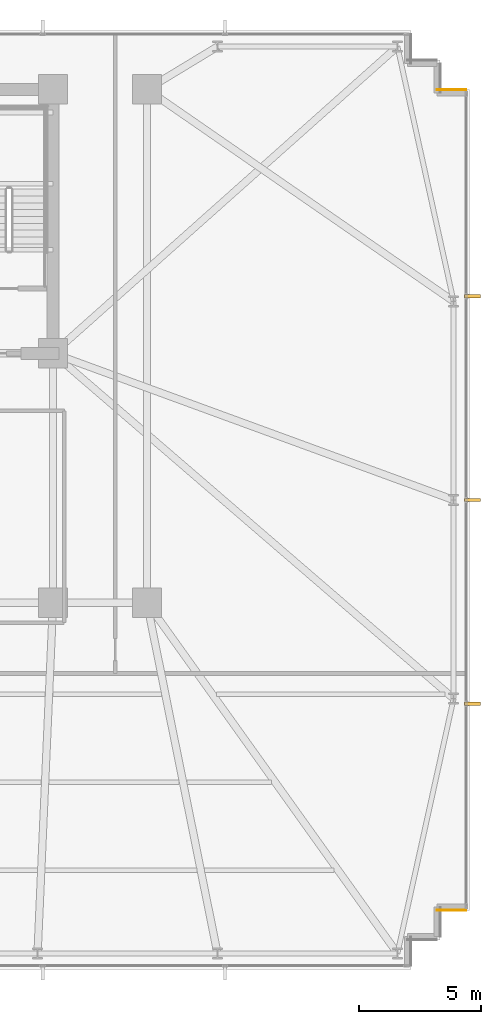
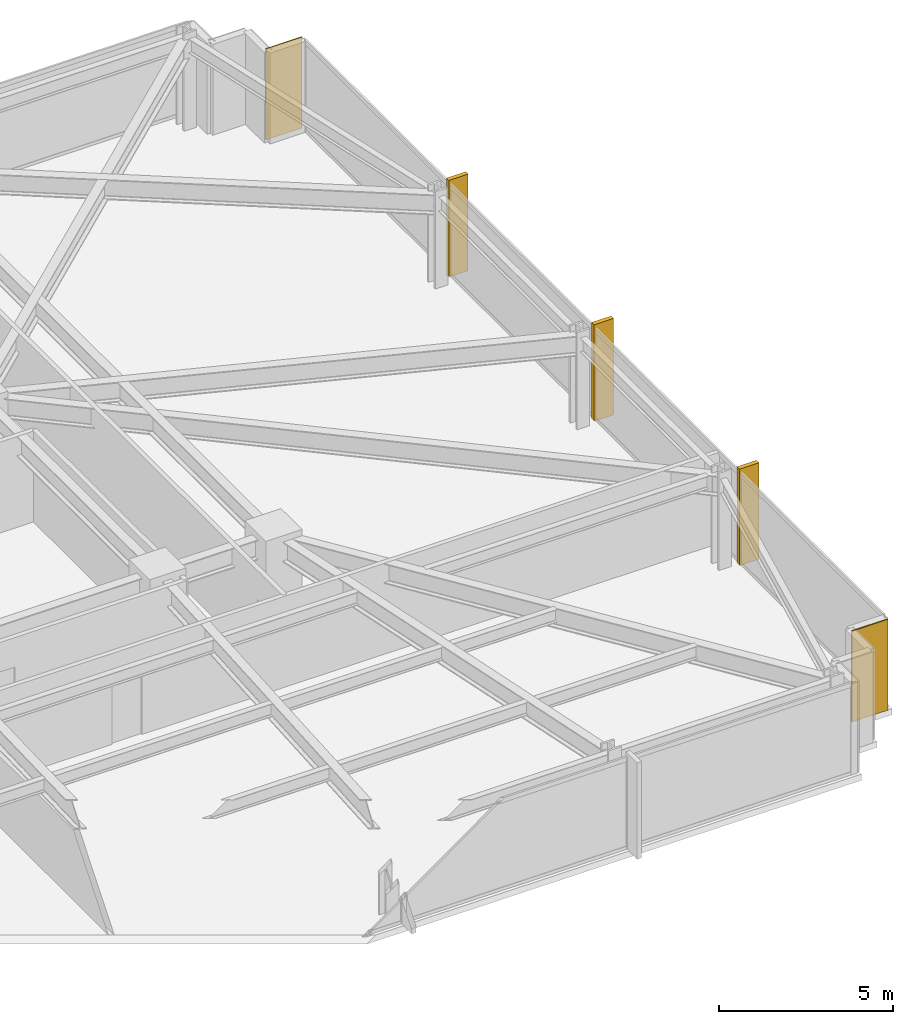
# One storey, part 32 of 32: 3 shading devices, 2 coverings.
"""IFC4 building model written with IfcOpenShell, lengths in metres."""

from ifc_helpers import new_model, si_unit, direction, frame, frame_2d, origin, origin_2d, place, context, subcontext, project, spatial, rectangle, extrude, material, layer, layer_set, type_object, element, save


model = new_model("IFC4")

# Units and contexts
model_context = context("Model", 3, precision=1e-05, world=origin(), true_north=direction((0.0, 1.0)))
body_context = subcontext(model_context, "Body", "Model", "MODEL_VIEW")
ifc_project = project(units=[si_unit("LENGTHUNIT", "METRE"), si_unit("AREAUNIT", "SQUARE_METRE"), si_unit("VOLUMEUNIT", "CUBIC_METRE"), si_unit("PLANEANGLEUNIT", "RADIAN"), si_unit("MASSUNIT", "GRAM", prefix="KILO")], contexts=[model_context])

# Site, building, storey
site_placement = place(None, origin())
site = spatial("IfcSite", under=ifc_project, at=site_placement, CompositionType="ELEMENT")
building_placement = place(site_placement, origin())
building = spatial("IfcBuilding", under=site, at=building_placement, Name="Yelkora Congress Tower", CompositionType="ELEMENT")
storey_placement = place(building_placement, frame((0.0, 0.0, 50.800048828125)))
storey = spatial("IfcBuildingStorey", under=building, at=storey_placement, Name="L12", CompositionType="ELEMENT", Elevation=50.800048828125)

# Coverings
ifc_material_1 = material(Name="Anatolian bush-hammered limestone", Category="masonry")
ifc_layer_1 = layer(ifc_material_1, 0.0400390625)
ifc_layer_set_1 = layer_set([ifc_layer_1], Name="Anatolian bush-hammered limestone")
covering_type = type_object("IfcCoveringType", Name="COV-CLAD-SPANDREL-40", PredefinedType="CLADDING", material=ifc_layer_set_1)
for number, where, z_axis, x_axis, name in (
    (1, (69.4599609375, 46.195068359375, 0.0), (0.0, 0.0, 1.0), (1.0, 0.0, 0.0), "L12 Anatolian Limestone Cladding EW-L12-SR14"),
    (2, (70.659912109375, 12.60498046875, 0.0), (0.0, 0.0, 1.0), (-1.0, 0.0, 0.0), "L12 Anatolian Limestone Cladding EW-L12-SR16"),
):
    element("IfcCovering", number, at=place(storey_placement, frame(where, z_axis=z_axis, x_axis=x_axis)), inside=storey, type_object=covering_type, Name=name, PredefinedType="CLADDING", context=body_context, shape_type="SweptSolid", body=[
        extrude(rectangle(XDim=1.199951171875, YDim=0.0400390625, at=frame_2d((0.60009765625, 0.0))), origin(), (0.0, 0.0, 1.0), 3.179931640625),
    ])

# Shading devices
ifc_material_2 = material(Name="Champagne anodised aluminium", Category="aluminium")
ifc_layer_2 = layer(ifc_material_2, 3.39990234375)
ifc_layer_set_2 = layer_set([ifc_layer_2], Name="Champagne anodised aluminium")
shading_device_type = type_object("IfcShadingDeviceType", Name="SHD-FIN-ALU-640", PredefinedType="USERDEFINED", material=ifc_layer_set_2)
for number, where, z_axis, x_axis, name in (
    (3, (70.919921875, 37.72998046875, -0.030029296875), (0.0, 0.0, 1.0), (0.0, -1.0, 0.0), "L12 Vertical Anodised Solar Fin 15-1"),
    (4, (70.919921875, 29.39990234375, -0.030029296875), (0.0, 0.0, 1.0), (0.0, -1.0, 0.0), "L12 Vertical Anodised Solar Fin 15-2"),
    (5, (70.919921875, 21.070068359375, -0.030029296875), (0.0, 0.0, 1.0), (0.0, -1.0, 0.0), "L12 Vertical Anodised Solar Fin 15-3"),
):
    element("IfcShadingDevice", number, at=place(storey_placement, frame(where, z_axis=z_axis, x_axis=x_axis)), inside=storey, type_object=shading_device_type, Name=name, ObjectType="FIN", PredefinedType="USERDEFINED", context=body_context, shape_type="SweptSolid", body=[
        extrude(rectangle(XDim=0.139892578125, YDim=0.639892578125, at=origin_2d()), origin(), (0.0, 0.0, 1.0), 3.3798828125),
    ])

save(model, "model.ifc")
